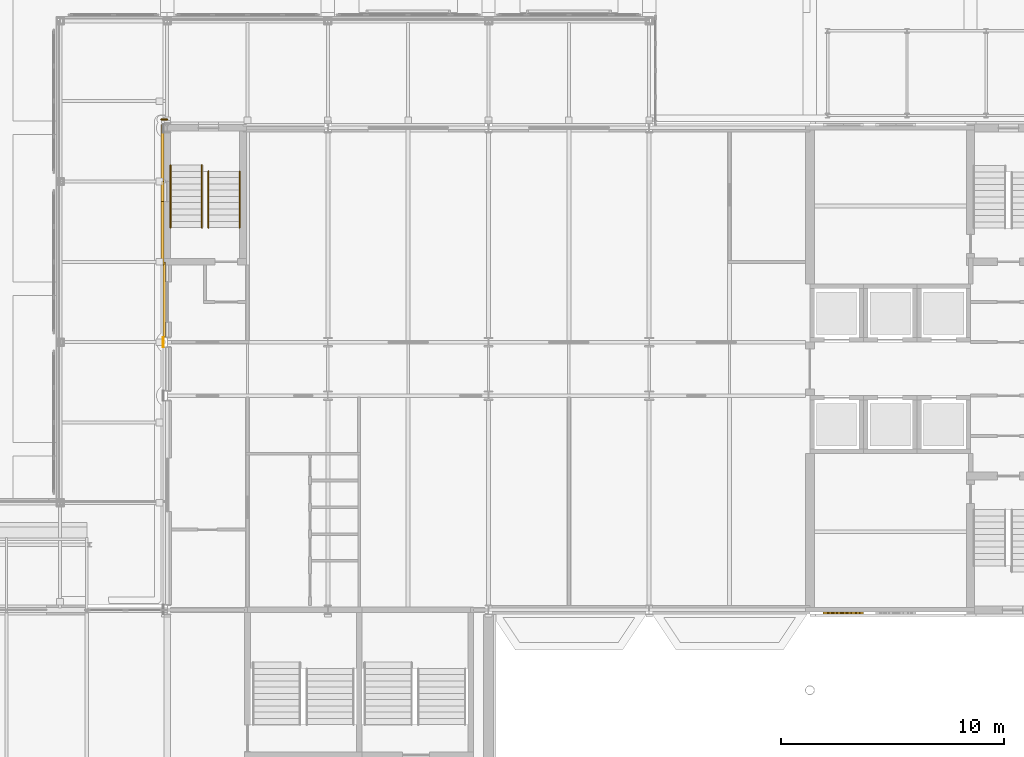
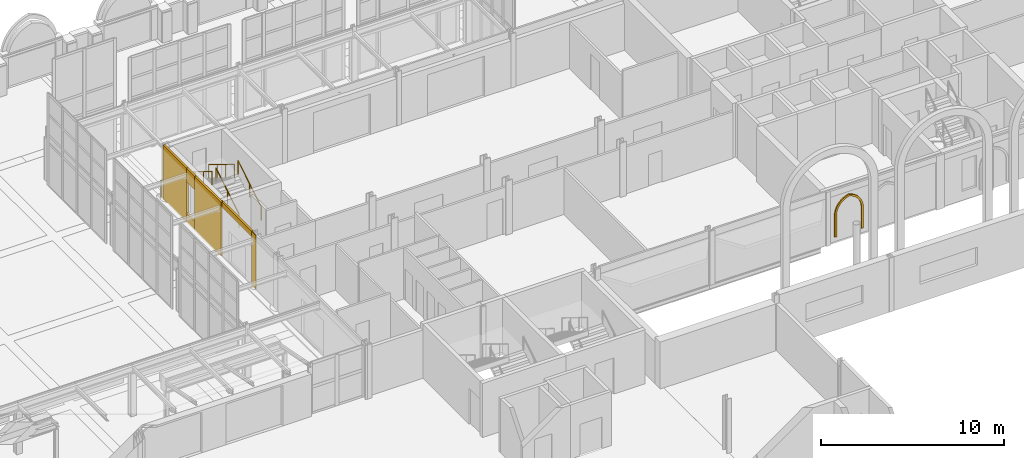
# One storey, part 119 of 143: 7 coverings, 5 railings.
"""IFC4 building model written with IfcOpenShell, lengths in metres."""

import ifcopenshell
import ifcopenshell.guid

model = None  # the IFC model being written
_history = None  # IfcOwnerHistory: only IFC2X3 demands one
_inside = {}  # id of a spatial element -> (the spatial element, [elements in it])
_under = {}  # id of a project, library or spatial element -> (it, [spatial elements below it])
_declared = {}  # id of a project -> (the project, [libraries it declares])
_typed = {}  # id of a type object -> (the type object, [elements of that type])
_made_of = {}  # id of a material, layer set ... -> (it, [elements and type objects made of it])


def new_model(schema):
    """Start an empty IFC model of exactly this schema.

    Asked for "IFC4X3", IfcOpenShell would pick the latest addendum, in which some entities
    have other attributes; the version numbers below select the first issue.
    IFC2X3 requires an IfcOwnerHistory on every rooted entity: one is made here for all.
    """
    global model, _history
    if schema == "IFC4X3":
        model = ifcopenshell.file(schema_version=(4, 3, 0, 0))
    else:
        model = ifcopenshell.file(schema=schema)
    _inside.clear()
    _under.clear()
    _declared.clear()
    _typed.clear()
    _made_of.clear()
    _history = None
    if model.schema == "IFC2X3":
        org = make("IfcOrganization", Name="unknown")
        user = make(
            "IfcPersonAndOrganization",
            ThePerson=make("IfcPerson", FamilyName="unknown"),
            TheOrganization=org,
        )
        app = make(
            "IfcApplication",
            ApplicationDeveloper=org,
            Version="unknown",
            ApplicationFullName="unknown",
            ApplicationIdentifier="unknown",
        )
        _history = make(
            "IfcOwnerHistory",
            OwningUser=user,
            OwningApplication=app,
            ChangeAction="ADDED",
            CreationDate=0,
        )
    return model


def make(cls, **values):
    """One entity of the class cls with the attributes given. An attribute that is None is left unset."""
    return model.create_entity(
        cls, **{name: value for name, value in values.items() if value is not None}
    )


def rooted(cls, **values):
    """An entity with a GlobalId (a new one), such as an element, a storey or a relation."""
    return make(cls, GlobalId=ifcopenshell.guid.new(), OwnerHistory=_history, **values)


def si_unit(unit_type, name, prefix=None):
    """IfcSIUnit, for example si_unit("LENGTHUNIT", "METRE", prefix="MILLI")."""
    return make("IfcSIUnit", UnitType=unit_type, Prefix=prefix, Name=name)


def assignment(units):
    """IfcUnitAssignment: the units of a project."""
    return None if units is None else make("IfcUnitAssignment", Units=units)


def point(xyz):
    """IfcCartesianPoint."""
    return None if xyz is None else make("IfcCartesianPoint", Coordinates=xyz)


def direction(xyz):
    """IfcDirection."""
    return None if xyz is None else make("IfcDirection", DirectionRatios=xyz)


def frame(location, z_axis=None, x_axis=None):
    """IfcAxis2Placement3D, a coordinate frame: its origin and axes. An axis left out is left unset."""
    return make(
        "IfcAxis2Placement3D",
        Location=point(location),
        Axis=direction(z_axis),
        RefDirection=direction(x_axis),
    )


def frame_2d(location, x_axis=None):
    """IfcAxis2Placement2D, a coordinate frame in the plane: its origin and x axis."""
    return make(
        "IfcAxis2Placement2D", Location=point(location), RefDirection=direction(x_axis)
    )


def origin():
    """The frame at (0, 0, 0) with its axes left unset."""
    return frame((0.0, 0.0, 0.0))


def origin_2d():
    """The frame at (0, 0) in the plane with its x axis left unset."""
    return frame_2d((0.0, 0.0))


def place(relative_to, where):
    """IfcLocalPlacement: puts the frame where relative to a parent placement (None: the world)."""
    return make(
        "IfcLocalPlacement", PlacementRelTo=relative_to, RelativePlacement=where
    )


def context(
    kind, dimensions, precision=None, world=None, true_north=None, identifier=None
):
    """IfcGeometricRepresentationContext, for example the 3D "Model" context."""
    return make(
        "IfcGeometricRepresentationContext",
        ContextIdentifier=identifier,
        ContextType=kind,
        CoordinateSpaceDimension=dimensions,
        Precision=precision,
        WorldCoordinateSystem=world,
        TrueNorth=true_north,
    )


def subcontext(parent, identifier, kind, view, scale=None):
    """IfcGeometricRepresentationSubContext, for example "Body" below "Model"."""
    return make(
        "IfcGeometricRepresentationSubContext",
        ContextIdentifier=identifier,
        ContextType=kind,
        ParentContext=parent,
        TargetScale=scale,
        TargetView=view,
    )


def project(units=None, contexts=None):
    """IfcProject with its units and contexts."""
    return rooted(
        "IfcProject",
        Name="project",
        RepresentationContexts=contexts,
        UnitsInContext=assignment(units),
    )


def spatial(cls, under=None, at=None, **own):
    """A site, building, storey or space (cls), placed at a placement, below another one or the project."""
    s = rooted(cls, ObjectPlacement=at, **own)
    if under is not None:
        _under.setdefault(under.id(), (under, []))[1].append(s)
    return s


def polyline(points):
    """IfcPolyline through the points."""
    return make("IfcPolyline", Points=[point(p) for p in points])


def profile(cls, at=None, kind="AREA", **sizes):
    """A parametric profile (cls). Its sizes go by their IFC names, for example OverallWidth=200.0."""
    return make(cls, ProfileType=kind, Position=at, **sizes)


def rectangle(**sizes):
    """IfcRectangleProfileDef."""
    return profile("IfcRectangleProfileDef", **sizes)


def circle(**sizes):
    """IfcCircleProfileDef."""
    return profile("IfcCircleProfileDef", **sizes)


def outline(outer, holes=None, kind="AREA"):
    """IfcArbitraryClosedProfileDef: a profile drawn as a closed curve; with holes, ...WithVoids."""
    if holes is None:
        return make("IfcArbitraryClosedProfileDef", ProfileType=kind, OuterCurve=outer)
    return make(
        "IfcArbitraryProfileDefWithVoids",
        ProfileType=kind,
        OuterCurve=outer,
        InnerCurves=holes,
    )


def extrude(swept, where, along, depth):
    """IfcExtrudedAreaSolid: the profile swept, set in the frame where, extruded along a direction by depth."""
    return make(
        "IfcExtrudedAreaSolid",
        SweptArea=swept,
        Position=where,
        ExtrudedDirection=direction(along),
        Depth=depth,
    )


def shape(context_of_items, identifier, shape_type, items):
    """IfcShapeRepresentation: the items that make up one representation, for example the "Body"."""
    return make(
        "IfcShapeRepresentation",
        ContextOfItems=context_of_items,
        RepresentationIdentifier=identifier,
        RepresentationType=shape_type,
        Items=items,
    )


def material(Name=None, Category=None):
    """IfcMaterial."""
    return make("IfcMaterial", Name=Name, Category=Category)


def layer(
    of_material, thickness, ventilated=None, Name=None, Category=None, Priority=None
):
    """IfcMaterialLayer: one layer of a wall or slab, of a material (None: an air gap)."""
    return make(
        "IfcMaterialLayer",
        Material=of_material,
        LayerThickness=thickness,
        IsVentilated=ventilated,
        Name=Name,
        Category=Category,
        Priority=Priority,
    )


def layer_set(layers, Name=None):
    """IfcMaterialLayerSet."""
    return make("IfcMaterialLayerSet", MaterialLayers=layers, LayerSetName=Name)


def made_of(thing, what):
    """Note that an element or type object is made of a material, layer set ...; save() writes the relation."""
    if what is not None:
        _made_of.setdefault(what.id(), (what, []))[1].append(thing)
    return thing


def type_object(cls, material=None, **own):
    """A type object (cls), such as IfcWallType, which elements share."""
    return made_of(rooted(cls, **own), material)


def element(
    cls,
    number,
    at=None,
    inside=None,
    cuts=None,
    type_object=None,
    material=None,
    context=None,
    identifier="Body",
    shape_type=None,
    held_by="IfcProductDefinitionShape",
    body=None,
    shapes=None,
    **own,
):
    """One element of the class cls, such as IfcWall. Its Tag is "e" and its number.

    at: its placement. inside: the storey or other place that contains it. cuts: it is an
    opening in that element (IfcRelVoidsElement). A single representation is given by context,
    identifier, shape_type and body (its items); several are given by shapes. held_by: the class
    of the entity that holds the representations. save() writes the other relations.
    """
    e = rooted(cls, Tag="e%d" % number, ObjectPlacement=at, **own)
    if body is not None:
        shapes = [shape(context, identifier, shape_type, body)]
    if shapes is not None:
        e.Representation = make(held_by, Representations=shapes)
    if inside is not None:
        _inside.setdefault(inside.id(), (inside, []))[1].append(e)
    if cuts is not None:
        rooted(
            "IfcRelVoidsElement", RelatingBuildingElement=cuts, RelatedOpeningElement=e
        )
    if type_object is not None:
        _typed.setdefault(type_object.id(), (type_object, []))[1].append(e)
    return made_of(e, material)


def aggregate(whole, parts):
    """IfcRelAggregates: a whole, such as a stair, and the parts it consists of."""
    return rooted("IfcRelAggregates", RelatingObject=whole, RelatedObjects=parts)


def save(model, path):
    """Write the relations noted so far, then the file.

    IfcRelAggregates (storeys below a building ...), IfcRelContainedInSpatialStructure (elements
    in a storey), IfcRelDefinesByType, IfcRelAssociatesMaterial and IfcRelDeclares: one each for
    every whole, place, type object, material and project.
    """
    for whole, parts in _under.values():
        aggregate(whole, parts)
    for where, things in _inside.values():
        rooted(
            "IfcRelContainedInSpatialStructure",
            RelatedElements=things,
            RelatingStructure=where,
        )
    for kind, things in _typed.values():
        rooted("IfcRelDefinesByType", RelatedObjects=things, RelatingType=kind)
    for what, things in _made_of.values():
        rooted("IfcRelAssociatesMaterial", RelatedObjects=things, RelatingMaterial=what)
    for by, libraries in _declared.values():
        rooted("IfcRelDeclares", RelatingContext=by, RelatedDefinitions=libraries)
    model.write(path)


model = new_model("IFC4")

# Units and contexts
model_context = context("Model", 3, precision=1e-05, world=origin(), true_north=direction((0.0, 1.0)))
body_context = subcontext(model_context, "Body", "Model", "MODEL_VIEW")
ifc_project = project(units=[si_unit("LENGTHUNIT", "METRE"), si_unit("AREAUNIT", "SQUARE_METRE"), si_unit("VOLUMEUNIT", "CUBIC_METRE"), si_unit("PLANEANGLEUNIT", "RADIAN"), si_unit("MASSUNIT", "GRAM", prefix="KILO")], contexts=[model_context])

# Site, building, storey
site_placement = place(None, origin())
site = spatial("IfcSite", under=ifc_project, at=site_placement, CompositionType="ELEMENT")
building_placement = place(site_placement, origin())
building = spatial("IfcBuilding", under=site, at=building_placement, Name="Kupolbacken Congress Centre", CompositionType="ELEMENT")
storey_placement = place(building_placement, frame((0.0, 0.0, 7.199951171875)))
storey = spatial("IfcBuildingStorey", under=building, at=storey_placement, Name="L02", CompositionType="ELEMENT", Elevation=7.199951171875)

# Coverings
ifc_material_1 = material(Name="Limestone cladding", Category="masonry")
ifc_layer = layer(ifc_material_1, 0.1201171875)
ifc_layer_set = layer_set([ifc_layer], Name="Limestone cladding")
covering_type = type_object("IfcCoveringType", Name="CV1 limestone cladding band 120", PredefinedType="CLADDING", material=ifc_layer_set)
covering_1_placement = place(storey_placement, frame((64.66259765625, 136.3125, 3.22021484375), z_axis=(0.0, 0.0, 1.0), x_axis=(0.0, -1.0, 0.0)))
element("IfcCovering", 1, at=covering_1_placement, inside=storey, type_object=covering_type, Name="E/T/W/L02/030/band", PredefinedType="CLADDING", context=body_context, shape_type="SweptSolid", body=[
    extrude(rectangle(XDim=3.375, YDim=0.10498046875, at=origin_2d()), origin(), (0.0, 0.0, 1.0), 0.3798828125),
])
covering_2_placement = place(storey_placement, frame((64.6298828125, 134.39990234375, 0.0), z_axis=(0.0, 0.0, 1.0), x_axis=(1.0, 0.0, 0.0)))
element("IfcCovering", 2, at=covering_2_placement, inside=storey, type_object=covering_type, Name="E/T/pilaster/L02/C-T-10U+4800/W", PredefinedType="CLADDING", context=body_context, shape_type="SweptSolid", body=[
    extrude(rectangle(XDim=0.0400390625, YDim=0.449951171875, at=origin_2d()), origin(), (0.0, 0.0, 1.0), 3.60009765625),
])
covering_3_placement = place(storey_placement, frame((64.590087890625, 142.875, 0.0), z_axis=(0.0, 0.0, 1.0), x_axis=(0.0, -1.0, 0.0)))
element("IfcCovering", 3, at=covering_3_placement, inside=storey, type_object=covering_type, Name="S/core/L02/124/face0", PredefinedType="CLADDING", context=body_context, shape_type="SweptSolid", body=[
    extrude(rectangle(XDim=2.550048828125, YDim=0.1201171875, at=origin_2d()), origin(), (0.0, 0.0, 1.0), 3.60009765625),
])
covering_4_placement = place(storey_placement, frame((64.590087890625, 139.27490234375, 0.0), z_axis=(0.0, 0.0, 1.0), x_axis=(0.0, -1.0, 0.0)))
element("IfcCovering", 4, at=covering_4_placement, inside=storey, type_object=covering_type, Name="S/core/L02/124/face1", PredefinedType="CLADDING", context=body_context, shape_type="SweptSolid", body=[
    extrude(rectangle(XDim=2.85009765625, YDim=0.1201171875, at=origin_2d()), origin(), (0.0, 0.0, 1.0), 3.60009765625),
])
covering_5_placement = place(storey_placement, frame((64.590087890625, 141.14990234375, 0.0), z_axis=(0.0, 0.0, 1.0), x_axis=(0.0, -1.0, 0.0)))
element("IfcCovering", 5, at=covering_5_placement, inside=storey, type_object=covering_type, Name="S/core/L02/124/face2", PredefinedType="CLADDING", context=body_context, shape_type="SweptSolid", body=[
    extrude(rectangle(XDim=0.89990234375, YDim=0.1201171875, at=origin_2d()), origin(), (0.0, 0.0, 1.0), 0.60009765625),
])
covering_6_placement = place(storey_placement, frame((64.590087890625, 141.14990234375, 2.7001953125), z_axis=(0.0, 0.0, 1.0), x_axis=(0.0, -1.0, 0.0)))
element("IfcCovering", 6, at=covering_6_placement, inside=storey, type_object=covering_type, Name="S/core/L02/124/face3", PredefinedType="CLADDING", context=body_context, shape_type="SweptSolid", body=[
    extrude(rectangle(XDim=0.89990234375, YDim=0.1201171875, at=origin_2d()), origin(), (0.0, 0.0, 1.0), 0.89990234375),
])
covering_7_placement = place(storey_placement, frame((94.199951171875, 122.300048828125, 0.35009765625), z_axis=(0.0, -1.0, 0.0), x_axis=(1.0, 0.0, 0.0)))
element("IfcCovering", 7, at=covering_7_placement, inside=storey, type_object=covering_type, Name="E/T/stripe/S/L02/niche93.6/1", PredefinedType="CLADDING", context=body_context, shape_type="SweptSolid", body=[
    extrude(outline(polyline([(0.0, 0.0), (0.0, 1.43408203125), (0.00537109375, 1.54443359375), (0.021484375, 1.654052734375), (0.048095703125, 1.761474609375), (0.084716796875, 1.86572265625), (0.131591796875, 1.966064453125), (0.187744140625, 2.061279296875), (0.2529296875, 2.15087890625), (0.32666015625, 2.2333984375), (0.40771484375, 2.30859375), (0.495849609375, 2.37548828125), (0.590087890625, 2.433837890625), (0.689453125, 2.482421875), (0.793212890625, 2.521240234375), (0.89990234375, 2.550048828125), (1.0068359375, 2.521240234375), (1.110595703125, 2.482421875), (1.2099609375, 2.433837890625), (1.30419921875, 2.37548828125), (1.39208984375, 2.30859375), (1.473388671875, 2.2333984375), (1.547119140625, 2.15087890625), (1.6123046875, 2.061279296875), (1.66845703125, 1.966064453125), (1.715087890625, 1.86572265625), (1.751953125, 1.761474609375), (1.778564453125, 1.654052734375), (1.794677734375, 1.54443359375), (1.800048828125, 1.43408203125), (1.800048828125, 0.0), (1.679931640625, 0.0), (1.679931640625, 1.43408203125), (1.67529296875, 1.531005859375), (1.66162109375, 1.627197265625), (1.638671875, 1.7216796875), (1.60693359375, 1.8134765625), (1.566650390625, 1.90185546875), (1.51806640625, 1.986083984375), (1.461669921875, 2.065185546875), (1.398193359375, 2.138916015625), (1.327880859375, 2.205810546875), (1.25146484375, 2.26611328125), (1.169677734375, 2.318603515625), (1.08349609375, 2.36328125), (0.9931640625, 2.3994140625), (0.89990234375, 2.427001953125), (0.806884765625, 2.3994140625), (0.716552734375, 2.36328125), (0.63037109375, 2.318603515625), (0.548583984375, 2.26611328125), (0.47216796875, 2.205810546875), (0.40185546875, 2.138916015625), (0.33837890625, 2.065185546875), (0.281982421875, 1.986083984375), (0.2333984375, 1.90185546875), (0.193115234375, 1.8134765625), (0.161376953125, 1.7216796875), (0.138427734375, 1.627197265625), (0.12451171875, 1.531005859375), (0.1201171875, 1.43408203125), (0.1201171875, 0.0), (0.0, 0.0)])), origin(), (0.0, 0.0, 1.0), 0.080078125),
])

# Railings
ifc_material_2 = material(Name="Steel S235", Category="steel")
railing_type_1 = type_object("IfcRailingType", Name="RL1 guard 1100 steel balustrade", PredefinedType="GUARDRAIL", material=ifc_material_2)
railing_placement = place(storey_placement, frame((64.800048828125, 144.375, 0.0)))
element("IfcRailing", 8, at=railing_placement, inside=storey, type_object=railing_type_1, Name="E/deckguard/008", PredefinedType="GUARDRAIL", context=body_context, shape_type="SweptSolid", body=[
    extrude(circle(Radius=0.02392578125, at=origin_2d()), frame((0.0, 0.0, 1.076171875), z_axis=(-1.0, 0.0, 0.0), x_axis=(0.0, -1.0, 0.0)), (0.0, 0.0, 1.0), 0.275146484375),
    extrude(circle(Radius=0.02099609375, at=origin_2d()), origin(), (0.0, 0.0, 1.0), 1.052001953125),
    extrude(circle(Radius=0.02099609375, at=origin_2d()), frame((-0.275146484375, 0.0, 0.0)), (0.0, 0.0, 1.0), 1.052001953125),
])
ifc_material_3 = material(Name="Steel S235", Category="steel")
railing_type_2 = type_object("IfcRailingType", Name="RL3 handrail wall-mounted 900", PredefinedType="HANDRAIL", material=ifc_material_3)
for number, where, name in (
    (9, (66.64990234375, 139.530029296875, 0.17138671875), "C/stair/TS3/L02/HR1L"),
    (10, (68.050048828125, 139.530029296875, 0.17138671875), "C/stair/TS3/L02/HR1R"),
):
    element("IfcRailing", number, at=place(storey_placement, frame(where)), inside=storey, type_object=railing_type_2, Name=name, PredefinedType="HANDRAIL", context=body_context, shape_type="SweptSolid", body=[
        extrude(circle(Radius=0.02392578125, at=origin_2d()), frame((0.0, 0.0, 0.8759765625), z_axis=(0.0, 0.852836285881, 0.522178388565), x_axis=(-1.0, 0.0, 0.0)), (0.0, 0.0, 1.0), 2.954833984375),
        extrude(circle(Radius=0.02099609375, at=origin_2d()), origin(), (0.0, 0.0, 1.0), 0.851806640625),
        extrude(circle(Radius=0.02099609375, at=origin_2d()), frame((0.0, 1.260009765625, 0.771484375)), (0.0, 0.0, 1.0), 0.851806640625),
        extrude(circle(Radius=0.02099609375, at=origin_2d()), frame((0.0, 2.52001953125, 1.54296875)), (0.0, 0.0, 1.0), 0.851806640625),
    ])
for number, where, name in (
    (11, (66.35009765625, 142.330078125, 1.8857421875), "C/stair/TS3/L02/HR2L"),
    (12, (64.949951171875, 142.330078125, 1.8857421875), "C/stair/TS3/L02/HR2R"),
):
    element("IfcRailing", number, at=place(storey_placement, frame(where)), inside=storey, type_object=railing_type_2, Name=name, PredefinedType="HANDRAIL", context=body_context, shape_type="SweptSolid", body=[
        extrude(circle(Radius=0.02392578125, at=origin_2d()), frame((0.0, 0.0, 0.8759765625), z_axis=(0.0, -0.852845897599, 0.522162690116), x_axis=(1.0, 0.0, 0.0)), (0.0, 0.0, 1.0), 3.283203125),
        extrude(circle(Radius=0.02099609375, at=origin_2d()), origin(), (0.0, 0.0, 1.0), 0.851806640625),
        extrude(circle(Radius=0.02099609375, at=origin_2d()), frame((0.0, -0.933349609375, 0.571533203125)), (0.0, 0.0, 1.0), 0.851806640625),
        extrude(circle(Radius=0.02099609375, at=origin_2d()), frame((0.0, -1.86669921875, 1.142822265625)), (0.0, 0.0, 1.0), 0.851806640625),
        extrude(circle(Radius=0.02099609375, at=origin_2d()), frame((0.0, -2.800048828125, 1.71435546875)), (0.0, 0.0, 1.0), 0.851806640625),
    ])

save(model, "model.ifc")
